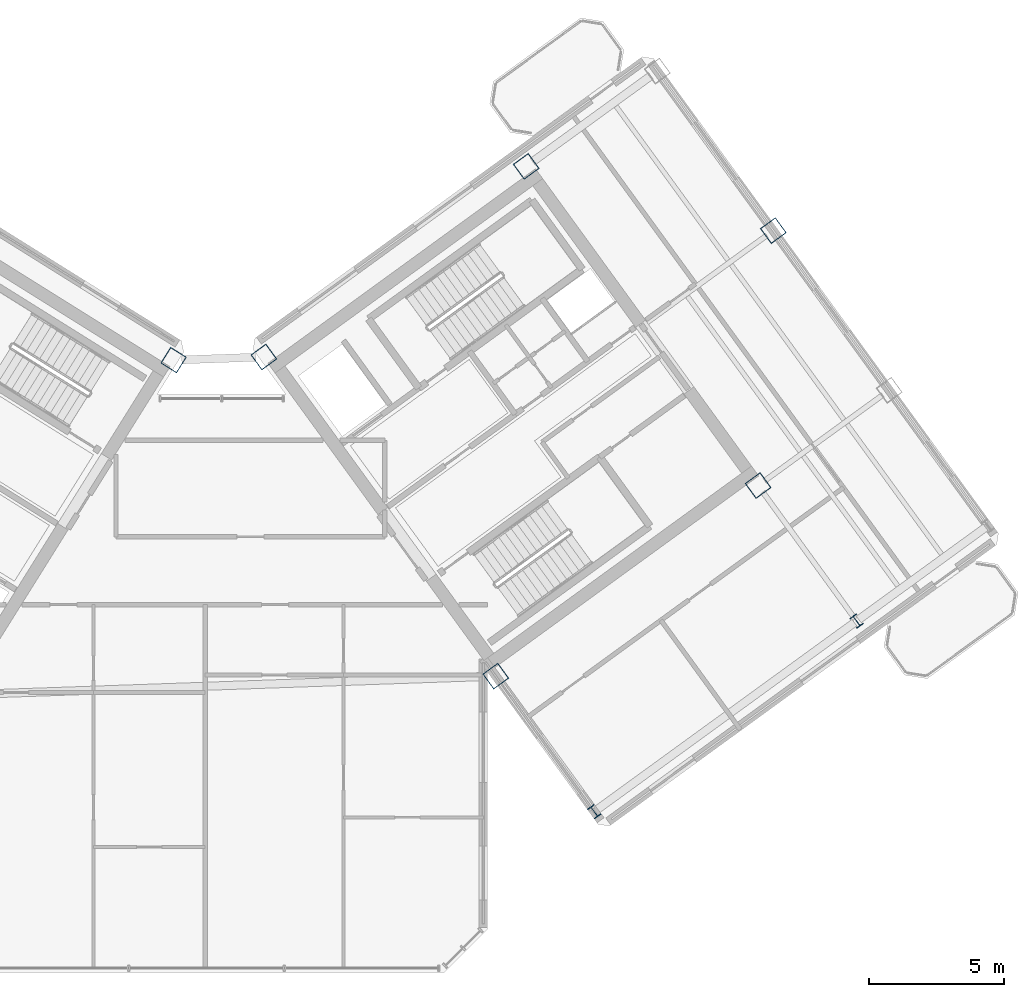
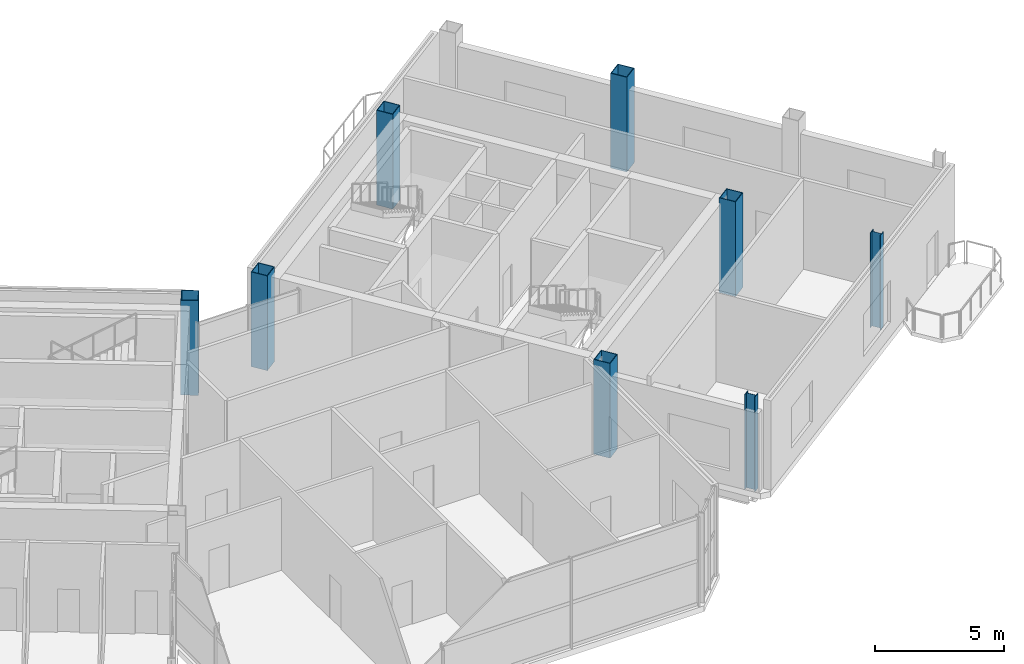
# One storey, part 2 of 27: 8 columns.
"""IFC4 building model written with IfcOpenShell, lengths in metres."""

from ifc_helpers import new_model, si_unit, direction, frame, origin, origin_2d, place, context, subcontext, project, spatial, hollow_rectangle, i_section, extrude, source, transform, mapped, material, material_profile, profile_set, type_object, element, save


model = new_model("IFC4")

# Units and contexts
model_context = context("Model", 3, precision=1e-05, world=origin(), true_north=direction((0.0, 1.0)))
body_context = subcontext(model_context, "Body", "Model", "MODEL_VIEW")
ifc_project = project(units=[si_unit("LENGTHUNIT", "METRE"), si_unit("AREAUNIT", "SQUARE_METRE"), si_unit("VOLUMEUNIT", "CUBIC_METRE"), si_unit("PLANEANGLEUNIT", "RADIAN"), si_unit("MASSUNIT", "GRAM", prefix="KILO")], contexts=[model_context])

# Site, building, storey
site_placement = place(None, origin())
site = spatial("IfcSite", under=ifc_project, at=site_placement, CompositionType="ELEMENT")
building_placement = place(site_placement, origin())
building = spatial("IfcBuilding", under=site, at=building_placement, Name="Tlacorven Tower", CompositionType="ELEMENT")
storey_placement = place(building_placement, frame((0.0, 0.0, 254.699951171875)))
storey = spatial("IfcBuildingStorey", under=building, at=storey_placement, Name="L64", CompositionType="ELEMENT", Elevation=254.699951171875)

# Columns
ifc_material_1 = material(Name="Steel S460M", Category="steel")
ifc_material_profile_1 = material_profile(ifc_material_1, hollow_rectangle(XDim=0.699951171875, YDim=0.699951171875, WallThickness=0.028076171875, at=origin_2d()), Name="BOX 700X700X28")
ifc_profile_set_1 = profile_set([ifc_material_profile_1], Name="Steel S460M")
column_type_1 = type_object("IfcColumnType", Name="COL-TWR-S4", PredefinedType="COLUMN", material=ifc_profile_set_1)
shared_shape_1 = source(origin(), body_context, "Body", "SweptSolid", [
    extrude(hollow_rectangle(XDim=0.699951171875, YDim=0.699951171875, WallThickness=0.028076171875, at=origin_2d()), origin(), (0.0, 0.0, 1.0), 4.5),
])
for number, where, z_axis, x_axis, name in (
    (1, (40.782958984375, 24.468505859375, 0.0), (0.0, 0.0, 1.0), (-0.848048096156, 0.529919264233, 0.0), "L64 column COL-L64-W1-1"),
    (2, (52.705322265625, 12.7734375, 0.0), (0.0, 0.0, 1.0), (0.809016994375, 0.587785252292, 0.0), "L64 column COL-L64-E1-2"),
    (3, (44.123779296875, 24.5849609375, 0.0), (0.0, 0.0, 1.0), (0.809016994375, 0.587785252292, 0.0), "L64 column COL-L64-E1-4"),
    (4, (62.41357421875, 19.826904296875, 0.0), (0.0, 0.0, 1.0), (0.809016994375, 0.587785252292, 0.0), "L64 column COL-L64-E3-2"),
    (5, (53.83203125, 31.638427734375, 0.0), (0.0, 0.0, 1.0), (0.809016994375, 0.587785252292, 0.0), "L64 column COL-L64-E3-4"),
    (6, (62.976806640625, 29.25927734375, 0.0), (0.0, 0.0, 1.0), (0.809016994375, 0.587785252292, 0.0), "L64 column COL-L64-E4-3"),
):
    element("IfcColumn", number, at=place(storey_placement, frame(where, z_axis=z_axis, x_axis=x_axis)), inside=storey, type_object=column_type_1, Name=name, PredefinedType="COLUMN", context=body_context, shape_type="MappedRepresentation", body=[
        mapped(shared_shape_1, transform((0.0, 0.0, 0.0), scale=1.0)),
    ])
ifc_material_2 = material(Name="Steel S355J2", Category="steel")
ifc_material_profile_2 = material_profile(ifc_material_2, i_section(OverallWidth=0.300048828125, OverallDepth=0.449951171875, WebThickness=0.013916015625, FlangeThickness=0.02587890625, at=origin_2d()), Name="HEB 450")
ifc_profile_set_2 = profile_set([ifc_material_profile_2], Name="Steel S355J2")
column_type_2 = type_object("IfcColumnType", Name="COL-TWR-P3", PredefinedType="COLUMN", material=ifc_profile_set_2)
shared_shape_2 = source(origin(), body_context, "Body", "SweptSolid", [
    extrude(i_section(OverallWidth=0.300048828125, OverallDepth=0.449951171875, WebThickness=0.013916015625, FlangeThickness=0.02587890625, at=origin_2d()), origin(), (0.0, 0.0, 1.0), 4.5),
])
for number, where, z_axis, x_axis, name in (
    (7, (56.349609375, 7.757568359375, 0.0), (0.0, 0.0, 1.0), (0.809016994375, 0.587785252292, 0.0), "L64 column COL-L64-E1-1"),
    (8, (66.057861328125, 14.81103515625, 0.0), (0.0, 0.0, 1.0), (0.809016994375, 0.587785252292, 0.0), "L64 column COL-L64-E3-1"),
):
    element("IfcColumn", number, at=place(storey_placement, frame(where, z_axis=z_axis, x_axis=x_axis)), inside=storey, type_object=column_type_2, Name=name, PredefinedType="COLUMN", context=body_context, shape_type="MappedRepresentation", body=[
        mapped(shared_shape_2, transform((0.0, 0.0, 0.0), scale=1.0)),
    ])

save(model, "model.ifc")
